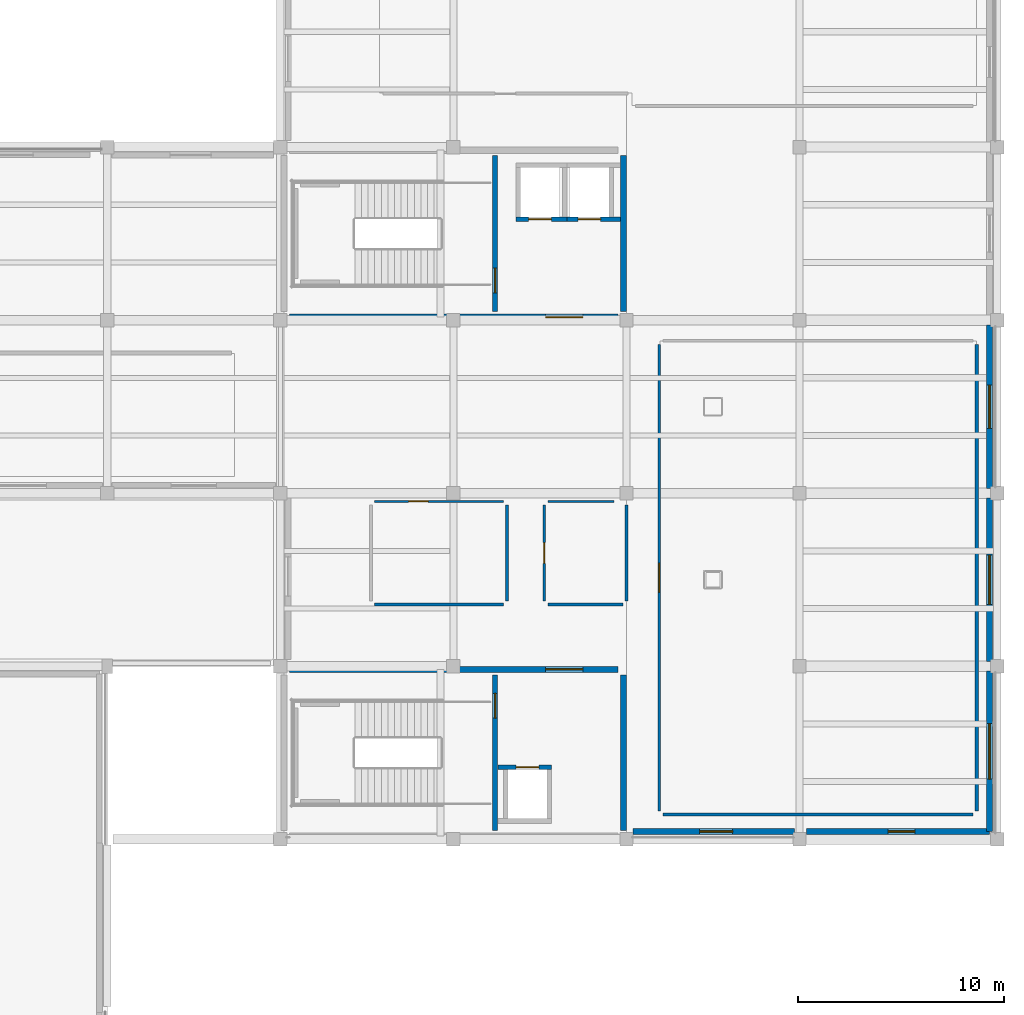
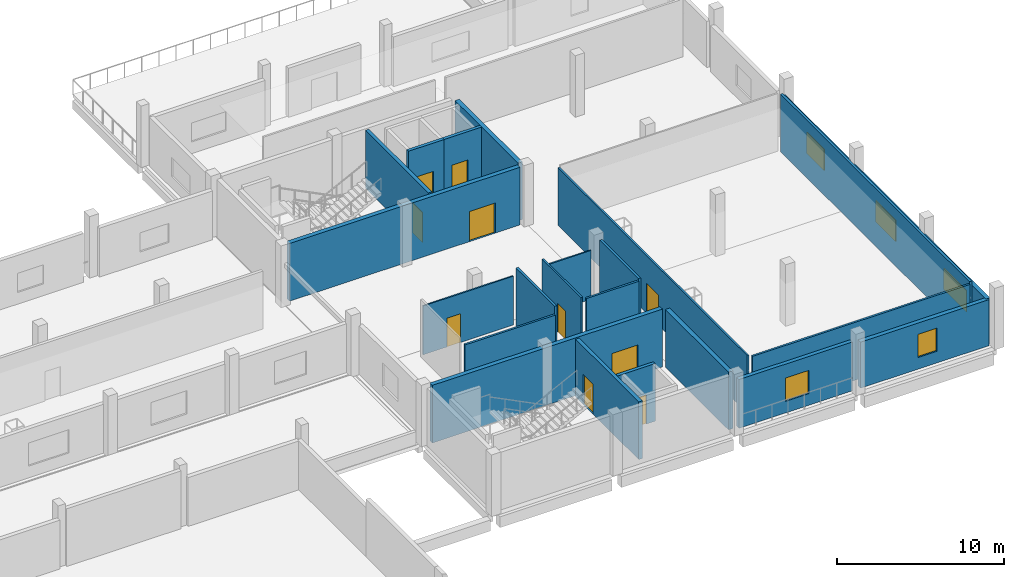
# One storey, part 32 of 46: 24 walls, 10 doors, 5 windows, 15 openings.
"""IFC4 building model written with IfcOpenShell, lengths in metres."""

from ifc_helpers import new_model, si_unit, derived_unit, direction, frame, frame_2d, origin, place, context, subcontext, project, spatial, rectangle, extrude, material, layer, layer_set, type_object, element, fill, save


model = new_model("IFC4")

# Units and contexts
model_context = context("Model", 3, precision=1e-05, world=origin(), true_north=direction((0.0, 1.0)))
body_context = subcontext(model_context, "Body", "Model", "MODEL_VIEW")
ifc_project = project(units=[si_unit("LENGTHUNIT", "METRE"), si_unit("AREAUNIT", "SQUARE_METRE"), si_unit("VOLUMEUNIT", "CUBIC_METRE"), si_unit("PLANEANGLEUNIT", "RADIAN"), si_unit("MASSUNIT", "GRAM", prefix="KILO"), derived_unit("THERMALTRANSMITTANCEUNIT", [(si_unit("POWERUNIT", "WATT"), 1), (si_unit("LENGTHUNIT", "METRE"), -2), (si_unit("THERMODYNAMICTEMPERATUREUNIT", "KELVIN"), -1)])], contexts=[model_context])

# Site, building, storey
site_placement = place(None, origin())
site = spatial("IfcSite", under=ifc_project, at=site_placement, CompositionType="ELEMENT")
building_placement = place(site_placement, origin())
building = spatial("IfcBuilding", under=site, at=building_placement, Name="Elbkamm Science Centre", CompositionType="ELEMENT")
storey_placement = place(building_placement, frame((0.0, 0.0, 9.89990234375)))
storey = spatial("IfcBuildingStorey", under=building, at=storey_placement, Name="L02", CompositionType="ELEMENT", Elevation=9.89990234375)

# Wall, opening, door
ifc_material_1 = material(Name="Reinforced concrete C40/50", Category="concrete")
ifc_layer_1 = layer(ifc_material_1, 0.25)
ifc_layer_set_1 = layer_set([ifc_layer_1], Name="Reinforced concrete C40/50")
wall_type_1 = type_object("IfcWallType", Name="WL-CORE-250", PredefinedType="SHEAR", material=ifc_layer_set_1)
wall_1_placement = place(storey_placement, frame((136.419921875, 50.820068359375, 0.0), z_axis=(0.0, 0.0, 1.0), x_axis=(0.0, 1.0, 0.0)))
wall_1 = element("IfcWall", 1, at=wall_1_placement, inside=storey, type_object=wall_type_1, Name="L02 C3 Stairwell Compartment Wall", PredefinedType="SHEAR", context=body_context, shape_type="SweptSolid", body=[
    extrude(rectangle(XDim=7.559814453125, YDim=0.25, at=frame_2d((3.77978515625, 0.0))), origin(), (0.0, 0.0, 1.0), 4.22021484375),
])
opening_1_placement = place(wall_1_placement, frame((0.89990234375, 0.0, 0.0)))
opening_1 = element("IfcOpeningElement", 2, at=opening_1_placement, cuts=wall_1, Name="Opening DC-02", PredefinedType="OPENING", context=body_context, shape_type="SweptSolid", body=[
    extrude(rectangle(XDim=1.199951171875, YDim=2.199951171875, at=frame_2d((0.60009765625, 1.10009765625))), frame((0.0, 0.136962890625, 0.0), z_axis=(0.0, -1.0, 0.0), x_axis=(1.0, 0.0, 0.0)), (0.0, 0.0, 1.0), 0.27392578125),
])
ifc_material_2 = material(Name="Fire-rated steel acoustic door", Category="steel")
ifc_layer_2 = layer(ifc_material_2, 0.050048828125)
ifc_layer_set_2 = layer_set([ifc_layer_2], Name="Fire-rated steel acoustic door")
door_type_1 = type_object("IfcDoorType", Name="DR-CORE-1200x2200", OperationType="NOTDEFINED", PredefinedType="DOOR", material=ifc_layer_set_2)
door_1_placement = place(opening_1_placement, origin())
door_1 = element("IfcDoor", 3, at=door_1_placement, inside=storey, type_object=door_type_1, Name="L02 ST-C3 Stairwell Fire Door", OperationType="SINGLE_SWING_RIGHT", OverallHeight=2.199951171875, OverallWidth=1.199951171875, PredefinedType="DOOR", context=body_context, shape_type="SweptSolid", body=[
    extrude(rectangle(XDim=1.199951171875, YDim=2.199951171875, at=frame_2d((0.60009765625, 1.10009765625))), frame((0.0, 0.02490234375, 0.0), z_axis=(0.0, -1.0, 0.0), x_axis=(1.0, 0.0, 0.0)), (0.0, 0.0, 1.0), 0.050048828125),
])
fill(opening_1, door_1)

wall_2_placement = place(storey_placement, frame((136.419921875, 25.6201171875, 0.0), z_axis=(0.0, 0.0, 1.0), x_axis=(0.0, 1.0, 0.0)))
wall_2 = element("IfcWall", 4, at=wall_2_placement, inside=storey, type_object=wall_type_1, Name="L02 C4 Stairwell Compartment Wall", PredefinedType="SHEAR", context=body_context, shape_type="SweptSolid", body=[
    extrude(rectangle(XDim=7.559814453125, YDim=0.25, at=frame_2d((3.77978515625, 0.0))), origin(), (0.0, 0.0, 1.0), 4.22021484375),
])
opening_2_placement = place(wall_2_placement, frame((5.4599609375, 0.0, 0.0)))
opening_2 = element("IfcOpeningElement", 5, at=opening_2_placement, cuts=wall_2, Name="Opening DC-02", PredefinedType="OPENING", context=body_context, shape_type="SweptSolid", body=[
    extrude(rectangle(XDim=1.199951171875, YDim=2.199951171875, at=frame_2d((0.60009765625, 1.10009765625))), frame((0.0, 0.136962890625, 0.0), z_axis=(0.0, -1.0, 0.0), x_axis=(1.0, 0.0, 0.0)), (0.0, 0.0, 1.0), 0.27392578125),
])
door_2_placement = place(opening_2_placement, origin())
door_2 = element("IfcDoor", 6, at=door_2_placement, inside=storey, type_object=door_type_1, Name="L02 ST-C4 Stairwell Fire Door", OperationType="SINGLE_SWING_LEFT", OverallHeight=2.199951171875, OverallWidth=1.199951171875, PredefinedType="DOOR", context=body_context, shape_type="SweptSolid", body=[
    extrude(rectangle(XDim=1.199951171875, YDim=2.199951171875, at=frame_2d((0.60009765625, 1.10009765625))), frame((0.0, 0.02490234375, 0.0), z_axis=(0.0, -1.0, 0.0), x_axis=(1.0, 0.0, 0.0)), (0.0, 0.0, 1.0), 0.050048828125),
])
fill(opening_2, door_2)

ifc_layer_3 = layer(ifc_material_1, 0.300048828125)
ifc_layer_set_3 = layer_set([ifc_layer_3], Name="Reinforced concrete C40/50")
wall_type_2 = type_object("IfcWallType", Name="WL-CORE-300", PredefinedType="SHEAR", material=ifc_layer_set_3)
wall_3_placement = place(storey_placement, frame((126.449951171875, 50.550048828125, 0.0), z_axis=(0.0, 0.0, 1.0), x_axis=(1.0, 0.0, 0.0)))
wall_3 = element("IfcWall", 7, at=wall_3_placement, inside=storey, type_object=wall_type_2, Name="L02 Core C3 Northeast Laboratories and Observatory Core Shear Wall S", PredefinedType="SHEAR", context=body_context, shape_type="SweptSolid", body=[
    extrude(rectangle(XDim=15.929931640625, YDim=0.300048828125, at=frame_2d((7.96484375, 0.0))), origin(), (0.0, 0.0, 1.0), 4.22021484375),
])
opening_3_placement = place(wall_3_placement, frame((12.429931640625, 0.0, 0.0)))
opening_3 = element("IfcOpeningElement", 8, at=opening_3_placement, cuts=wall_3, Name="Opening DC-01", PredefinedType="OPENING", context=body_context, shape_type="SweptSolid", body=[
    extrude(rectangle(XDim=1.800048828125, YDim=2.199951171875, at=frame_2d((0.89990234375, 1.10009765625))), frame((0.0, 0.162109375, 0.0), z_axis=(0.0, -1.0, 0.0), x_axis=(1.0, 0.0, 0.0)), (0.0, 0.0, 1.0), 0.323974609375),
])
ifc_layer_4 = layer(ifc_material_2, 0.050048828125)
ifc_layer_set_4 = layer_set([ifc_layer_4], Name="Fire-rated steel acoustic door")
door_type_2 = type_object("IfcDoorType", Name="DR-CORE-1800x2200", OperationType="DOUBLE_DOOR_SINGLE_SWING", PredefinedType="DOOR", material=ifc_layer_set_4)
door_3_placement = place(opening_3_placement, origin())
door_3 = element("IfcDoor", 9, at=door_3_placement, inside=storey, type_object=door_type_2, Name="L02 C3 Core Lobby Fire Door", OperationType="DOUBLE_DOOR_SINGLE_SWING", OverallHeight=2.199951171875, OverallWidth=1.800048828125, PredefinedType="DOOR", context=body_context, shape_type="SweptSolid", body=[
    extrude(rectangle(XDim=1.800048828125, YDim=2.199951171875, at=frame_2d((0.89990234375, 1.10009765625))), frame((0.0, 0.02490234375, 0.0), z_axis=(0.0, -1.0, 0.0), x_axis=(1.0, 0.0, 0.0)), (0.0, 0.0, 1.0), 0.050048828125),
])
fill(opening_3, door_3)

# Wall
wall_4_placement = place(storey_placement, frame((142.64990234375, 50.820068359375, 0.0), z_axis=(0.0, 0.0, 1.0), x_axis=(0.0, 1.0, 0.0)))
element("IfcWall", 10, at=wall_4_placement, inside=storey, type_object=wall_type_2, Name="L02 Core C3 Northeast Laboratories and Observatory Core Shear Wall E", PredefinedType="SHEAR", context=body_context, shape_type="SweptSolid", body=[
    extrude(rectangle(XDim=7.559814453125, YDim=0.300048828125, at=frame_2d((3.77978515625, 0.0))), origin(), (0.0, 0.0, 1.0), 4.22021484375),
])

# Wall, opening, door
wall_5_placement = place(storey_placement, frame((126.449951171875, 33.449951171875, 0.0), z_axis=(0.0, 0.0, 1.0), x_axis=(1.0, 0.0, 0.0)))
wall_5 = element("IfcWall", 11, at=wall_5_placement, inside=storey, type_object=wall_type_2, Name="L02 Core C4 Southeast Workshops and Library Core Shear Wall N", PredefinedType="SHEAR", context=body_context, shape_type="SweptSolid", body=[
    extrude(rectangle(XDim=15.929931640625, YDim=0.300048828125, at=frame_2d((7.96484375, 0.0))), origin(), (0.0, 0.0, 1.0), 4.22021484375),
])
opening_4_placement = place(wall_5_placement, frame((12.429931640625, 0.0, 0.0)))
opening_4 = element("IfcOpeningElement", 12, at=opening_4_placement, cuts=wall_5, Name="Opening DC-01", PredefinedType="OPENING", context=body_context, shape_type="SweptSolid", body=[
    extrude(rectangle(XDim=1.800048828125, YDim=2.199951171875, at=frame_2d((0.89990234375, 1.10009765625))), frame((0.0, 0.162109375, 0.0), z_axis=(0.0, -1.0, 0.0), x_axis=(1.0, 0.0, 0.0)), (0.0, 0.0, 1.0), 0.323974609375),
])
door_4_placement = place(opening_4_placement, origin())
door_4 = element("IfcDoor", 13, at=door_4_placement, inside=storey, type_object=door_type_2, Name="L02 C4 Core Lobby Fire Door", OperationType="DOUBLE_DOOR_SINGLE_SWING", OverallHeight=2.199951171875, OverallWidth=1.800048828125, PredefinedType="DOOR", context=body_context, shape_type="SweptSolid", body=[
    extrude(rectangle(XDim=1.800048828125, YDim=2.199951171875, at=frame_2d((0.89990234375, 1.10009765625))), frame((0.0, 0.02490234375, 0.0), z_axis=(0.0, -1.0, 0.0), x_axis=(1.0, 0.0, 0.0)), (0.0, 0.0, 1.0), 0.050048828125),
])
fill(opening_4, door_4)

# Wall
wall_6_placement = place(storey_placement, frame((142.64990234375, 25.6201171875, 0.0), z_axis=(0.0, 0.0, 1.0), x_axis=(0.0, 1.0, 0.0)))
element("IfcWall", 14, at=wall_6_placement, inside=storey, type_object=wall_type_2, Name="L02 Core C4 Southeast Workshops and Library Core Shear Wall E", PredefinedType="SHEAR", context=body_context, shape_type="SweptSolid", body=[
    extrude(rectangle(XDim=7.559814453125, YDim=0.300048828125, at=frame_2d((3.77978515625, 0.0))), origin(), (0.0, 0.0, 1.0), 4.22021484375),
])

# Wall, opening, window
ifc_material_3 = material(Name="White precast concrete C40/50", Category="concrete")
ifc_layer_5 = layer(ifc_material_3, 0.27001953125)
ifc_layer_set_5 = layer_set([ifc_layer_5], Name="White precast concrete C40/50")
wall_type_3 = type_object("IfcWallType", Name="WL-EXT-270", PredefinedType="SOLIDWALL", material=ifc_layer_set_5)
wall_7_placement = place(storey_placement, frame((160.419921875, 50.160888671875, 0.0), z_axis=(0.0, 0.0, 1.0), x_axis=(0.0, -1.0, 0.0)))
wall_7 = element("IfcWall", 15, at=wall_7_placement, inside=storey, type_object=wall_type_3, Name="L02 Exterior Wall 0237", PredefinedType="SOLIDWALL", context=body_context, shape_type="SweptSolid", body=[
    extrude(rectangle(XDim=7.921875, YDim=0.27001953125, at=frame_2d((3.9609375, 0.0))), origin(), (0.0, 0.0, 1.0), 3.3701171875),
])
opening_5_placement = place(wall_7_placement, frame((2.910888671875, 0.0, 0.85009765625)))
opening_5 = element("IfcOpeningElement", 16, at=opening_5_placement, cuts=wall_7, Name="Opening W-12", PredefinedType="OPENING", context=body_context, shape_type="SweptSolid", body=[
    extrude(rectangle(XDim=2.10009765625, YDim=1.550048828125, at=frame_2d((1.050048828125, 0.77490234375))), frame((0.0, 0.14697265625, 0.0), z_axis=(0.0, -1.0, 0.0), x_axis=(1.0, 0.0, 0.0)), (0.0, 0.0, 1.0), 0.2939453125),
])
ifc_material_4 = material(Name="Thermally broken aluminium and triple solar glass", Category="aluminium")
ifc_layer_6 = layer(ifc_material_4, 0.06005859375)
ifc_layer_set_6 = layer_set([ifc_layer_6], Name="Thermally broken aluminium and triple solar glass")
window_type_1 = type_object("IfcWindowType", Name="WIN-2100x1550", PartitioningType="DOUBLE_PANEL_VERTICAL", PredefinedType="WINDOW", material=ifc_layer_set_6)
window_1_placement = place(opening_5_placement, origin())
window_1 = element("IfcWindow", 17, at=window_1_placement, inside=storey, type_object=window_type_1, Name="L02 Facade Window 0051", OverallHeight=1.550048828125, OverallWidth=2.10009765625, PartitioningType="SINGLE_PANEL", PredefinedType="WINDOW", context=body_context, shape_type="SweptSolid", body=[
    extrude(rectangle(XDim=2.10009765625, YDim=1.550048828125, at=frame_2d((1.050048828125, 0.77490234375))), frame((0.0, 0.030029296875, 0.0), z_axis=(0.0, -1.0, 0.0), x_axis=(1.0, 0.0, 0.0)), (0.0, 0.0, 1.0), 0.06005859375),
])
fill(opening_5, window_1)

wall_8_placement = place(storey_placement, frame((160.419921875, 33.36083984375, 0.0), z_axis=(0.0, 0.0, 1.0), x_axis=(0.0, -1.0, 0.0)))
wall_8 = element("IfcWall", 18, at=wall_8_placement, inside=storey, type_object=wall_type_3, Name="L02 Exterior Wall 0239", PredefinedType="SOLIDWALL", context=body_context, shape_type="SweptSolid", body=[
    extrude(rectangle(XDim=7.78076171875, YDim=0.27001953125, at=frame_2d((3.890380859375, 0.0))), origin(), (0.0, 0.0, 1.0), 3.3701171875),
])
opening_6_placement = place(wall_8_placement, frame((2.54052734375, 0.0, 0.85009765625)))
opening_6 = element("IfcOpeningElement", 19, at=opening_6_placement, cuts=wall_8, Name="Opening W-14", PredefinedType="OPENING", context=body_context, shape_type="SweptSolid", body=[
    extrude(rectangle(XDim=2.699951171875, YDim=1.550048828125, at=frame_2d((1.35009765625, 0.77490234375))), frame((0.0, 0.14697265625, 0.0), z_axis=(0.0, -1.0, 0.0), x_axis=(1.0, 0.0, 0.0)), (0.0, 0.0, 1.0), 0.2939453125),
])
ifc_layer_7 = layer(ifc_material_4, 0.06005859375)
ifc_layer_set_7 = layer_set([ifc_layer_7], Name="Thermally broken aluminium and triple solar glass")
window_type_2 = type_object("IfcWindowType", Name="WIN-2700x1550", PartitioningType="DOUBLE_PANEL_VERTICAL", PredefinedType="WINDOW", material=ifc_layer_set_7)
window_2_placement = place(opening_6_placement, origin())
window_2 = element("IfcWindow", 20, at=window_2_placement, inside=storey, type_object=window_type_2, Name="L02 Facade Window 0053", OverallHeight=1.550048828125, OverallWidth=2.699951171875, PartitioningType="SINGLE_PANEL", PredefinedType="WINDOW", context=body_context, shape_type="SweptSolid", body=[
    extrude(rectangle(XDim=2.699951171875, YDim=1.550048828125, at=frame_2d((1.35009765625, 0.77490234375))), frame((0.0, 0.030029296875, 0.0), z_axis=(0.0, -1.0, 0.0), x_axis=(1.0, 0.0, 0.0)), (0.0, 0.0, 1.0), 0.06005859375),
])
fill(opening_6, window_2)

wall_9_placement = place(storey_placement, frame((150.9609375, 25.580078125, 0.0), z_axis=(0.0, 0.0, 1.0), x_axis=(-1.0, 0.0, 0.0)))
wall_9 = element("IfcWall", 21, at=wall_9_placement, inside=storey, type_object=wall_type_3, Name="L02 Exterior Wall 0241", PredefinedType="SOLIDWALL", context=body_context, shape_type="SweptSolid", body=[
    extrude(rectangle(XDim=7.833984375, YDim=0.27001953125, at=frame_2d((3.9169921875, 0.0))), origin(), (0.0, 0.0, 1.0), 3.570068359375),
])
opening_7_placement = place(wall_9_placement, frame((3.005615234375, 0.0, 0.85009765625)))
opening_7 = element("IfcOpeningElement", 22, at=opening_7_placement, cuts=wall_9, Name="Opening W-16", PredefinedType="OPENING", context=body_context, shape_type="SweptSolid", body=[
    extrude(rectangle(XDim=1.60009765625, YDim=1.699951171875, at=frame_2d((0.800048828125, 0.85009765625))), frame((0.0, 0.14697265625, 0.0), z_axis=(0.0, -1.0, 0.0), x_axis=(1.0, 0.0, 0.0)), (0.0, 0.0, 1.0), 0.2939453125),
])
ifc_layer_8 = layer(ifc_material_4, 0.06005859375)
ifc_layer_set_8 = layer_set([ifc_layer_8], Name="Thermally broken aluminium and triple solar glass")
window_type_3 = type_object("IfcWindowType", Name="WIN-1600x1700", PartitioningType="SINGLE_PANEL", PredefinedType="WINDOW", material=ifc_layer_set_8)
window_3_placement = place(opening_7_placement, origin())
window_3 = element("IfcWindow", 23, at=window_3_placement, inside=storey, type_object=window_type_3, Name="L02 Facade Window 0055", OverallHeight=1.699951171875, OverallWidth=1.60009765625, PartitioningType="SINGLE_PANEL", PredefinedType="WINDOW", context=body_context, shape_type="SweptSolid", body=[
    extrude(rectangle(XDim=1.60009765625, YDim=1.699951171875, at=frame_2d((0.800048828125, 0.85009765625))), frame((0.0, 0.030029296875, 0.0), z_axis=(0.0, -1.0, 0.0), x_axis=(1.0, 0.0, 0.0)), (0.0, 0.0, 1.0), 0.06005859375),
])
fill(opening_7, window_3)

ifc_layer_9 = layer(ifc_material_3, 0.2900390625)
ifc_layer_set_9 = layer_set([ifc_layer_9], Name="White precast concrete C40/50")
wall_type_4 = type_object("IfcWallType", Name="WL-EXT-290", PredefinedType="SOLIDWALL", material=ifc_layer_set_9)
wall_10_placement = place(storey_placement, frame((160.419921875, 41.760986328125, 0.0), z_axis=(0.0, 0.0, 1.0), x_axis=(0.0, -1.0, 0.0)))
wall_10 = element("IfcWall", 24, at=wall_10_placement, inside=storey, type_object=wall_type_4, Name="L02 Exterior Wall 0238", PredefinedType="SOLIDWALL", context=body_context, shape_type="SweptSolid", body=[
    extrude(rectangle(XDim=7.921875, YDim=0.2900390625, at=frame_2d((3.9609375, 0.0))), origin(), (0.0, 0.0, 1.0), 3.3701171875),
])
opening_8_placement = place(wall_10_placement, frame((2.760986328125, 0.0, 0.85009765625)))
opening_8 = element("IfcOpeningElement", 25, at=opening_8_placement, cuts=wall_10, Name="Opening W-13", PredefinedType="OPENING", context=body_context, shape_type="SweptSolid", body=[
    extrude(rectangle(XDim=2.39990234375, YDim=1.550048828125, at=frame_2d((1.199951171875, 0.77490234375))), frame((0.0, 0.156982421875, 0.0), z_axis=(0.0, -1.0, 0.0), x_axis=(1.0, 0.0, 0.0)), (0.0, 0.0, 1.0), 0.31396484375),
])
ifc_layer_10 = layer(ifc_material_4, 0.06005859375)
ifc_layer_set_10 = layer_set([ifc_layer_10], Name="Thermally broken aluminium and triple solar glass")
window_type_4 = type_object("IfcWindowType", Name="WIN-2400x1550", PartitioningType="DOUBLE_PANEL_VERTICAL", PredefinedType="WINDOW", material=ifc_layer_set_10)
window_4_placement = place(opening_8_placement, origin())
window_4 = element("IfcWindow", 26, at=window_4_placement, inside=storey, type_object=window_type_4, Name="L02 Facade Window 0052", OverallHeight=1.550048828125, OverallWidth=2.39990234375, PartitioningType="SINGLE_PANEL", PredefinedType="WINDOW", context=body_context, shape_type="SweptSolid", body=[
    extrude(rectangle(XDim=2.39990234375, YDim=1.550048828125, at=frame_2d((1.199951171875, 0.77490234375))), frame((0.0, 0.030029296875, 0.0), z_axis=(0.0, -1.0, 0.0), x_axis=(1.0, 0.0, 0.0)), (0.0, 0.0, 1.0), 0.06005859375),
])
fill(opening_8, window_4)

wall_11_placement = place(storey_placement, frame((160.419921875, 25.580078125, 0.0), z_axis=(0.0, 0.0, 1.0), x_axis=(-1.0, 0.0, 0.0)))
wall_11 = element("IfcWall", 27, at=wall_11_placement, inside=storey, type_object=wall_type_4, Name="L02 Exterior Wall 0240", PredefinedType="SOLIDWALL", context=body_context, shape_type="SweptSolid", body=[
    extrude(rectangle(XDim=8.892822265625, YDim=0.2900390625, at=frame_2d((4.4462890625, 0.0))), origin(), (0.0, 0.0, 1.0), 3.3701171875),
])
opening_9_placement = place(wall_11_placement, frame((3.617431640625, 0.0, 0.85009765625)))
opening_9 = element("IfcOpeningElement", 28, at=opening_9_placement, cuts=wall_11, Name="Opening W-15", PredefinedType="OPENING", context=body_context, shape_type="SweptSolid", body=[
    extrude(rectangle(XDim=1.300048828125, YDim=1.699951171875, at=frame_2d((0.64990234375, 0.85009765625))), frame((0.0, 0.156982421875, 0.0), z_axis=(0.0, -1.0, 0.0), x_axis=(1.0, 0.0, 0.0)), (0.0, 0.0, 1.0), 0.31396484375),
])
ifc_layer_11 = layer(ifc_material_4, 0.06005859375)
ifc_layer_set_11 = layer_set([ifc_layer_11], Name="Thermally broken aluminium and triple solar glass")
window_type_5 = type_object("IfcWindowType", Name="WIN-1300x1700", PartitioningType="SINGLE_PANEL", PredefinedType="WINDOW", material=ifc_layer_set_11)
window_5_placement = place(opening_9_placement, origin())
window_5 = element("IfcWindow", 29, at=window_5_placement, inside=storey, type_object=window_type_5, Name="L02 Facade Window 0054", OverallHeight=1.699951171875, OverallWidth=1.300048828125, PartitioningType="SINGLE_PANEL", PredefinedType="WINDOW", context=body_context, shape_type="SweptSolid", body=[
    extrude(rectangle(XDim=1.300048828125, YDim=1.699951171875, at=frame_2d((0.64990234375, 0.85009765625))), frame((0.0, 0.030029296875, 0.0), z_axis=(0.0, -1.0, 0.0), x_axis=(1.0, 0.0, 0.0)), (0.0, 0.0, 1.0), 0.06005859375),
])
fill(opening_9, window_5)

# Wall, opening, door
ifc_material_5 = material(Name="Drywall service partition", Category="gypsum")
ifc_layer_12 = layer(ifc_material_5, 0.10009765625)
ifc_layer_set_12 = layer_set([ifc_layer_12], Name="Drywall service partition")
wall_type_5 = type_object("IfcWallType", Name="WL-PART-100", PredefinedType="PARTITIONING", material=ifc_layer_set_12)
wall_12_placement = place(storey_placement, frame((130.580078125, 41.60009765625, 0.0), z_axis=(0.0, 0.0, 1.0), x_axis=(1.0, 0.0, 0.0)))
wall_12 = element("IfcWall", 30, at=wall_12_placement, inside=storey, type_object=wall_type_5, Name="L02 Public Washrooms L02 Partition 0187", PredefinedType="PARTITIONING", context=body_context, shape_type="SweptSolid", body=[
    extrude(rectangle(XDim=6.239990234375, YDim=0.10009765625, at=frame_2d((3.1201171875, 0.0))), origin(), (0.0, 0.0, 1.0), 3.570068359375),
])
opening_10_placement = place(wall_12_placement, frame((1.646484375, 0.0, 0.0)))
opening_10 = element("IfcOpeningElement", 31, at=opening_10_placement, cuts=wall_12, Name="Opening DI-09", PredefinedType="OPENING", context=body_context, shape_type="SweptSolid", body=[
    extrude(rectangle(XDim=0.949951171875, YDim=2.10009765625, at=frame_2d((0.47509765625, 1.050048828125))), frame((0.0, 0.06201171875, 0.0), z_axis=(0.0, -1.0, 0.0), x_axis=(1.0, 0.0, 0.0)), (0.0, 0.0, 1.0), 0.1240234375),
])
ifc_material_6 = material(Name="Powder-coated aluminium washroom door", Category="aluminium")
ifc_layer_13 = layer(ifc_material_6, 0.050048828125)
ifc_layer_set_13 = layer_set([ifc_layer_13], Name="Powder-coated aluminium washroom door")
door_type_3 = type_object("IfcDoorType", Name="DR-INT-950x2100", OperationType="NOTDEFINED", PredefinedType="DOOR", material=ifc_layer_set_13)
door_5_placement = place(opening_10_placement, origin())
door_5 = element("IfcDoor", 32, at=door_5_placement, inside=storey, type_object=door_type_3, Name="L02 Public Washrooms L02 Door", OperationType="SINGLE_SWING_LEFT", OverallHeight=2.10009765625, OverallWidth=0.949951171875, PredefinedType="DOOR", context=body_context, shape_type="SweptSolid", body=[
    extrude(rectangle(XDim=0.949951171875, YDim=2.10009765625, at=frame_2d((0.47509765625, 1.050048828125))), frame((0.0, 0.02490234375, 0.0), z_axis=(0.0, -1.0, 0.0), x_axis=(1.0, 0.0, 0.0)), (0.0, 0.0, 1.0), 0.050048828125),
])
fill(opening_10, door_5)

# Wall
wall_13_placement = place(storey_placement, frame((138.97998046875, 41.60009765625, 0.0), z_axis=(0.0, 0.0, 1.0), x_axis=(1.0, 0.0, 0.0)))
element("IfcWall", 33, at=wall_13_placement, inside=storey, type_object=wall_type_5, Name="L02 Accessible WC L02 Partition 0191", PredefinedType="PARTITIONING", context=body_context, shape_type="SweptSolid", body=[
    extrude(rectangle(XDim=3.219970703125, YDim=0.10009765625, at=frame_2d((1.60986328125, 0.0))), origin(), (0.0, 0.0, 1.0), 3.570068359375),
])

# Wall, opening, door
ifc_material_7 = material(Name="Lightweight metal-stud gypsum partition", Category="gypsum")
ifc_layer_14 = layer(ifc_material_7, 0.125)
ifc_layer_set_14 = layer_set([ifc_layer_14], Name="Lightweight metal-stud gypsum partition")
wall_type_6 = type_object("IfcWallType", Name="WL-PART-125", PredefinedType="PARTITIONING", material=ifc_layer_set_14)
wall_14_placement = place(storey_placement, frame((144.39990234375, 26.580078125, 0.0), z_axis=(0.0, 0.0, 1.0), x_axis=(0.0, 1.0, 0.0)))
wall_14 = element("IfcWall", 34, at=wall_14_placement, inside=storey, type_object=wall_type_6, Name="L02 Climate Simulation Seminar Studio Partition 0186", PredefinedType="PARTITIONING", context=body_context, shape_type="SweptSolid", body=[
    extrude(rectangle(XDim=22.639892578125, YDim=0.125, at=frame_2d((11.31982421875, 0.0))), origin(), (0.0, 0.0, 1.0), 4.22021484375),
])
opening_11_placement = place(wall_14_placement, frame((10.6201171875, 0.0, 0.0)))
opening_11 = element("IfcOpeningElement", 35, at=opening_11_placement, cuts=wall_14, Name="Opening DI-03", PredefinedType="OPENING", context=body_context, shape_type="SweptSolid", body=[
    extrude(rectangle(XDim=1.39990234375, YDim=2.199951171875, at=frame_2d((0.699951171875, 1.10009765625))), frame((0.0, 0.074462890625, 0.0), z_axis=(0.0, -1.0, 0.0), x_axis=(1.0, 0.0, 0.0)), (0.0, 0.0, 1.0), 0.14892578125),
])
ifc_material_8 = material(Name="Acoustic oak veneer door")
ifc_layer_15 = layer(ifc_material_8, 0.050048828125)
ifc_layer_set_15 = layer_set([ifc_layer_15], Name="Acoustic oak veneer door")
door_type_4 = type_object("IfcDoorType", Name="DR-INT-1400x2200", OperationType="DOUBLE_DOOR_SINGLE_SWING", PredefinedType="DOOR", material=ifc_layer_set_15)
door_6_placement = place(opening_11_placement, origin())
door_6 = element("IfcDoor", 36, at=door_6_placement, inside=storey, type_object=door_type_4, Name="L02 Climate Simulation Seminar Studio Door", OperationType="DOUBLE_DOOR_SINGLE_SWING", OverallHeight=2.199951171875, OverallWidth=1.39990234375, PredefinedType="DOOR", context=body_context, shape_type="SweptSolid", body=[
    extrude(rectangle(XDim=1.39990234375, YDim=2.199951171875, at=frame_2d((0.699951171875, 1.10009765625))), frame((0.0, 0.02490234375, 0.0), z_axis=(0.0, -1.0, 0.0), x_axis=(1.0, 0.0, 0.0)), (0.0, 0.0, 1.0), 0.050048828125),
])
fill(opening_11, door_6)

wall_15_placement = place(storey_placement, frame((138.800048828125, 36.780029296875, 0.0), z_axis=(0.0, 0.0, 1.0), x_axis=(0.0, 1.0, 0.0)))
wall_15 = element("IfcWall", 37, at=wall_15_placement, inside=storey, type_object=wall_type_6, Name="L02 Accessible WC L02 Partition 0194", PredefinedType="PARTITIONING", context=body_context, shape_type="SweptSolid", body=[
    extrude(rectangle(XDim=4.639892578125, YDim=0.125, at=frame_2d((2.31982421875, 0.0))), origin(), (0.0, 0.0, 1.0), 4.22021484375),
])
opening_12_placement = place(wall_15_placement, frame((1.820068359375, 0.0, 0.0)))
opening_12 = element("IfcOpeningElement", 38, at=opening_12_placement, cuts=wall_15, Name="Opening DI-10", PredefinedType="OPENING", context=body_context, shape_type="SweptSolid", body=[
    extrude(rectangle(XDim=1.0, YDim=2.10009765625, at=frame_2d((0.5, 1.050048828125))), frame((0.0, 0.074462890625, 0.0), z_axis=(0.0, -1.0, 0.0), x_axis=(1.0, 0.0, 0.0)), (0.0, 0.0, 1.0), 0.14892578125),
])
ifc_material_9 = material(Name="Powder-coated aluminium accessible WC door", Category="aluminium")
ifc_layer_16 = layer(ifc_material_9, 0.050048828125)
ifc_layer_set_16 = layer_set([ifc_layer_16], Name="Powder-coated aluminium accessible WC door")
door_type_5 = type_object("IfcDoorType", Name="DR-AWC-1000x2100", OperationType="NOTDEFINED", PredefinedType="DOOR", material=ifc_layer_set_16)
door_7_placement = place(opening_12_placement, origin())
door_7 = element("IfcDoor", 39, at=door_7_placement, inside=storey, type_object=door_type_5, Name="L02 Accessible WC L02 Door", OperationType="SINGLE_SWING_LEFT", OverallHeight=2.10009765625, OverallWidth=1.0, PredefinedType="DOOR", context=body_context, shape_type="SweptSolid", body=[
    extrude(rectangle(XDim=1.0, YDim=2.10009765625, at=frame_2d((0.5, 1.050048828125))), frame((0.0, 0.02490234375, 0.0), z_axis=(0.0, -1.0, 0.0), x_axis=(1.0, 0.0, 0.0)), (0.0, 0.0, 1.0), 0.050048828125),
])
fill(opening_12, door_7)

# Walls
ifc_material_10 = material(Name="Acoustic metal-stud gypsum partition", Category="gypsum")
ifc_layer_17 = layer(ifc_material_10, 0.139892578125)
ifc_layer_set_17 = layer_set([ifc_layer_17], Name="Acoustic metal-stud gypsum partition")
wall_type_7 = type_object("IfcWallType", Name="WL-PART-140", PredefinedType="PARTITIONING", material=ifc_layer_set_17)
wall_16_placement = place(storey_placement, frame((159.6201171875, 26.39990234375, 0.0), z_axis=(0.0, 0.0, 1.0), x_axis=(-1.0, 0.0, 0.0)))
element("IfcWall", 40, at=wall_16_placement, inside=storey, type_object=wall_type_7, Name="L02 Climate Simulation Seminar Studio Partition 0185", PredefinedType="PARTITIONING", context=body_context, shape_type="SweptSolid", body=[
    extrude(rectangle(XDim=15.0400390625, YDim=0.139892578125, at=frame_2d((7.52001953125, 0.0))), origin(), (0.0, 0.0, 1.0), 4.22021484375),
])
wall_17_placement = place(storey_placement, frame((136.820068359375, 36.60009765625, 0.0), z_axis=(0.0, 0.0, 1.0), x_axis=(-1.0, 0.0, 0.0)))
element("IfcWall", 41, at=wall_17_placement, inside=storey, type_object=wall_type_7, Name="L02 Public Washrooms L02 Partition 0189", PredefinedType="PARTITIONING", context=body_context, shape_type="SweptSolid", body=[
    extrude(rectangle(XDim=6.239990234375, YDim=0.139892578125, at=frame_2d((3.1201171875, 0.0))), origin(), (0.0, 0.0, 1.0), 3.77001953125),
])
wall_18_placement = place(storey_placement, frame((142.6201171875, 36.60009765625, 0.0), z_axis=(0.0, 0.0, 1.0), x_axis=(-1.0, 0.0, 0.0)))
element("IfcWall", 42, at=wall_18_placement, inside=storey, type_object=wall_type_7, Name="L02 Accessible WC L02 Partition 0193", PredefinedType="PARTITIONING", context=body_context, shape_type="SweptSolid", body=[
    extrude(rectangle(XDim=3.64013671875, YDim=0.139892578125, at=frame_2d((1.820068359375, 0.0))), origin(), (0.0, 0.0, 1.0), 4.22021484375),
])
ifc_layer_18 = layer(ifc_material_10, 0.159912109375)
ifc_layer_set_18 = layer_set([ifc_layer_18], Name="Acoustic metal-stud gypsum partition")
wall_type_8 = type_object("IfcWallType", Name="WL-PART-160", PredefinedType="PARTITIONING", material=ifc_layer_set_18)
wall_19_placement = place(storey_placement, frame((159.800048828125, 49.219970703125, 0.0), z_axis=(0.0, 0.0, 1.0), x_axis=(0.0, -1.0, 0.0)))
element("IfcWall", 43, at=wall_19_placement, inside=storey, type_object=wall_type_8, Name="L02 Climate Simulation Seminar Studio Partition 0184", PredefinedType="PARTITIONING", context=body_context, shape_type="SweptSolid", body=[
    extrude(rectangle(XDim=22.639892578125, YDim=0.159912109375, at=frame_2d((11.31982421875, 0.0))), origin(), (0.0, 0.0, 1.0), 4.22021484375),
])
for number, where, z_axis, x_axis, name in (
    (44, (137.0, 41.419921875, 0.0), (0.0, 0.0, 1.0), (0.0, -1.0, 0.0), "L02 Public Washrooms L02 Partition 0188"),
    (45, (142.800048828125, 41.419921875, 0.0), (0.0, 0.0, 1.0), (0.0, -1.0, 0.0), "L02 Accessible WC L02 Partition 0192"),
):
    element("IfcWall", number, at=place(storey_placement, frame(where, z_axis=z_axis, x_axis=x_axis)), inside=storey, type_object=wall_type_8, Name=name, PredefinedType="PARTITIONING", context=body_context, shape_type="SweptSolid", body=[
        extrude(rectangle(XDim=4.639892578125, YDim=0.159912109375, at=frame_2d((2.31982421875, 0.0))), origin(), (0.0, 0.0, 1.0), 4.22021484375),
    ])

# Wall, opening, door
ifc_layer_19 = layer(ifc_material_1, 0.219970703125)
ifc_layer_set_19 = layer_set([ifc_layer_19], Name="Reinforced concrete C40/50")
wall_type_9 = type_object("IfcWallType", Name="WL-SHAFT-220", PredefinedType="SOLIDWALL", material=ifc_layer_set_19)
wall_20_placement = place(storey_placement, frame((137.429931640625, 55.2900390625, 0.0), z_axis=(0.0, 0.0, 1.0), x_axis=(1.0, 0.0, 0.0)))
wall_20 = element("IfcWall", 46, at=wall_20_placement, inside=storey, type_object=wall_type_9, Name="L02 Lift LP1 Shaft Front Wall", PredefinedType="SOLIDWALL", context=body_context, shape_type="SweptSolid", body=[
    extrude(rectangle(XDim=2.47998046875, YDim=0.219970703125, at=frame_2d((1.239990234375, 0.0))), origin(), (0.0, 0.0, 1.0), 4.22021484375),
])
opening_13_placement = place(wall_20_placement, frame((0.6201171875, 0.0, 0.0)))
opening_13 = element("IfcOpeningElement", 47, at=opening_13_placement, cuts=wall_20, Name="Opening LD-01", PredefinedType="OPENING", context=body_context, shape_type="SweptSolid", body=[
    extrude(rectangle(XDim=1.10009765625, YDim=2.14990234375, at=frame_2d((0.550048828125, 1.074951171875))), frame((0.0, 0.1220703125, 0.0), z_axis=(0.0, -1.0, 0.0), x_axis=(1.0, 0.0, 0.0)), (0.0, 0.0, 1.0), 0.243896484375),
])
ifc_material_11 = material(Name="Stainless steel lift landing door", Category="steel")
ifc_layer_20 = layer(ifc_material_11, 0.050048828125)
ifc_layer_set_20 = layer_set([ifc_layer_20], Name="Stainless steel lift landing door")
door_type_6 = type_object("IfcDoorType", Name="DR-LIFT-1100x2150", OperationType="DOUBLE_DOOR_SLIDING", PredefinedType="DOOR", material=ifc_layer_set_20)
door_8_placement = place(opening_13_placement, origin())
door_8 = element("IfcDoor", 48, at=door_8_placement, inside=storey, type_object=door_type_6, Name="L02 Lift LP1 Sliding Landing Door", OperationType="DOUBLE_DOOR_SLIDING", OverallHeight=2.14990234375, OverallWidth=1.10009765625, PredefinedType="DOOR", context=body_context, shape_type="SweptSolid", body=[
    extrude(rectangle(XDim=1.10009765625, YDim=2.14990234375, at=frame_2d((0.550048828125, 1.074951171875))), frame((0.0, 0.02490234375, 0.0), z_axis=(0.0, -1.0, 0.0), x_axis=(1.0, 0.0, 0.0)), (0.0, 0.0, 1.0), 0.050048828125),
])
fill(opening_13, door_8)

wall_21_placement = place(storey_placement, frame((139.68994140625, 55.2900390625, 0.0), z_axis=(0.0, 0.0, 1.0), x_axis=(1.0, 0.0, 0.0)))
wall_21 = element("IfcWall", 49, at=wall_21_placement, inside=storey, type_object=wall_type_9, Name="L02 Lift LP2 Shaft Front Wall", PredefinedType="SOLIDWALL", context=body_context, shape_type="SweptSolid", body=[
    extrude(rectangle(XDim=2.81005859375, YDim=0.219970703125, at=frame_2d((1.405029296875, 0.0))), origin(), (0.0, 0.0, 1.0), 4.22021484375),
])
opening_14_placement = place(wall_21_placement, frame((0.760009765625, 0.0, 0.0)))
opening_14 = element("IfcOpeningElement", 50, at=opening_14_placement, cuts=wall_21, Name="Opening LD-01", PredefinedType="OPENING", context=body_context, shape_type="SweptSolid", body=[
    extrude(rectangle(XDim=1.10009765625, YDim=2.14990234375, at=frame_2d((0.550048828125, 1.074951171875))), frame((0.0, 0.1220703125, 0.0), z_axis=(0.0, -1.0, 0.0), x_axis=(1.0, 0.0, 0.0)), (0.0, 0.0, 1.0), 0.243896484375),
])
door_9_placement = place(opening_14_placement, origin())
door_9 = element("IfcDoor", 51, at=door_9_placement, inside=storey, type_object=door_type_6, Name="L02 Lift LP2 Sliding Landing Door", OperationType="DOUBLE_DOOR_SLIDING", OverallHeight=2.14990234375, OverallWidth=1.10009765625, PredefinedType="DOOR", context=body_context, shape_type="SweptSolid", body=[
    extrude(rectangle(XDim=1.10009765625, YDim=2.14990234375, at=frame_2d((0.550048828125, 1.074951171875))), frame((0.0, 0.02490234375, 0.0), z_axis=(0.0, -1.0, 0.0), x_axis=(1.0, 0.0, 0.0)), (0.0, 0.0, 1.0), 0.050048828125),
])
fill(opening_14, door_9)

wall_22_placement = place(storey_placement, frame((136.56005859375, 28.7099609375, 0.0), z_axis=(0.0, 0.0, 1.0), x_axis=(1.0, 0.0, 0.0)))
wall_22 = element("IfcWall", 52, at=wall_22_placement, inside=storey, type_object=wall_type_9, Name="L02 Lift LP3 Shaft Front Wall", PredefinedType="SOLIDWALL", context=body_context, shape_type="SweptSolid", body=[
    extrude(rectangle(XDim=2.60986328125, YDim=0.219970703125, at=frame_2d((1.304931640625, 0.0))), origin(), (0.0, 0.0, 1.0), 4.22021484375),
])
opening_15_placement = place(wall_22_placement, frame((0.889892578125, 0.0, 0.0)))
opening_15 = element("IfcOpeningElement", 53, at=opening_15_placement, cuts=wall_22, Name="Opening LD-01", PredefinedType="OPENING", context=body_context, shape_type="SweptSolid", body=[
    extrude(rectangle(XDim=1.10009765625, YDim=2.14990234375, at=frame_2d((0.550048828125, 1.074951171875))), frame((0.0, 0.1220703125, 0.0), z_axis=(0.0, -1.0, 0.0), x_axis=(1.0, 0.0, 0.0)), (0.0, 0.0, 1.0), 0.243896484375),
])
door_10_placement = place(opening_15_placement, origin())
door_10 = element("IfcDoor", 54, at=door_10_placement, inside=storey, type_object=door_type_6, Name="L02 Lift LP3 Sliding Landing Door", OperationType="DOUBLE_DOOR_SLIDING", OverallHeight=2.14990234375, OverallWidth=1.10009765625, PredefinedType="DOOR", context=body_context, shape_type="SweptSolid", body=[
    extrude(rectangle(XDim=1.10009765625, YDim=2.14990234375, at=frame_2d((0.550048828125, 1.074951171875))), frame((0.0, 0.02490234375, 0.0), z_axis=(0.0, -1.0, 0.0), x_axis=(1.0, 0.0, 0.0)), (0.0, 0.0, 1.0), 0.050048828125),
])
fill(opening_15, door_10)

save(model, "model.ifc")
